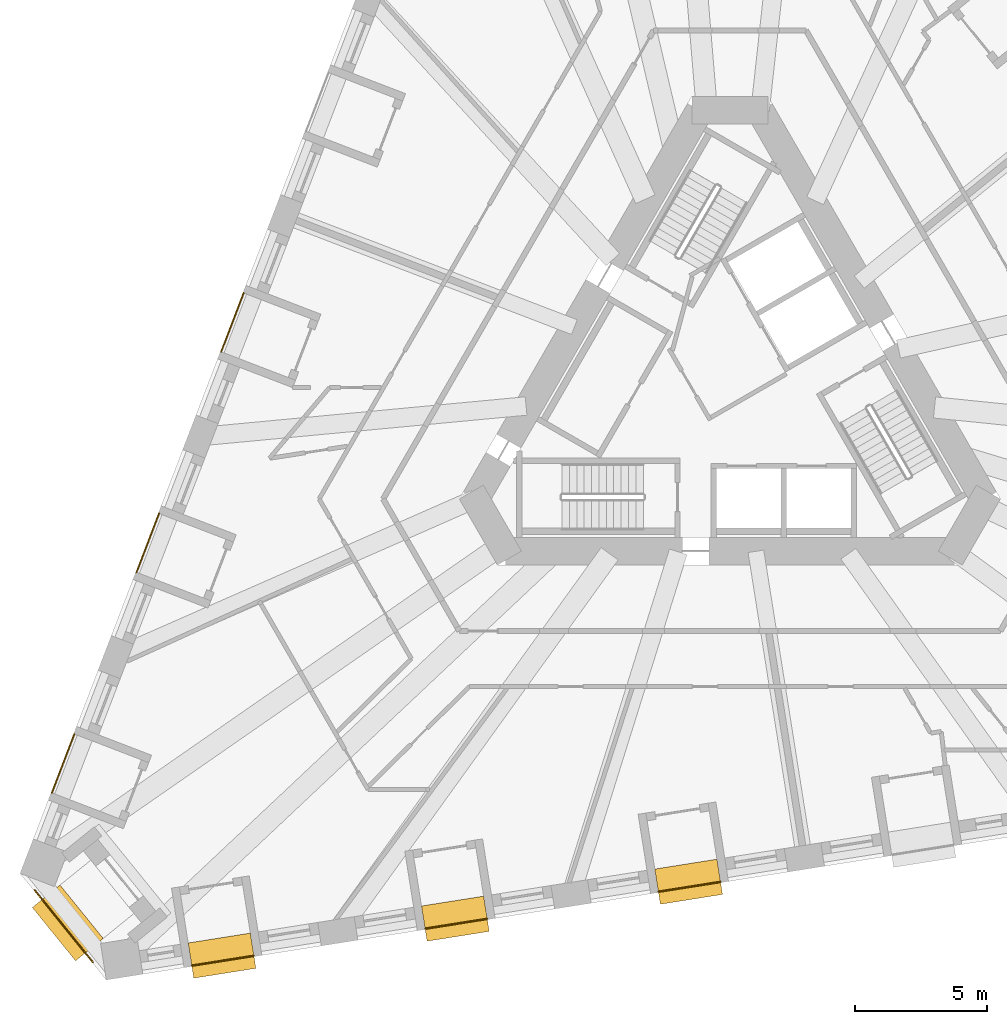
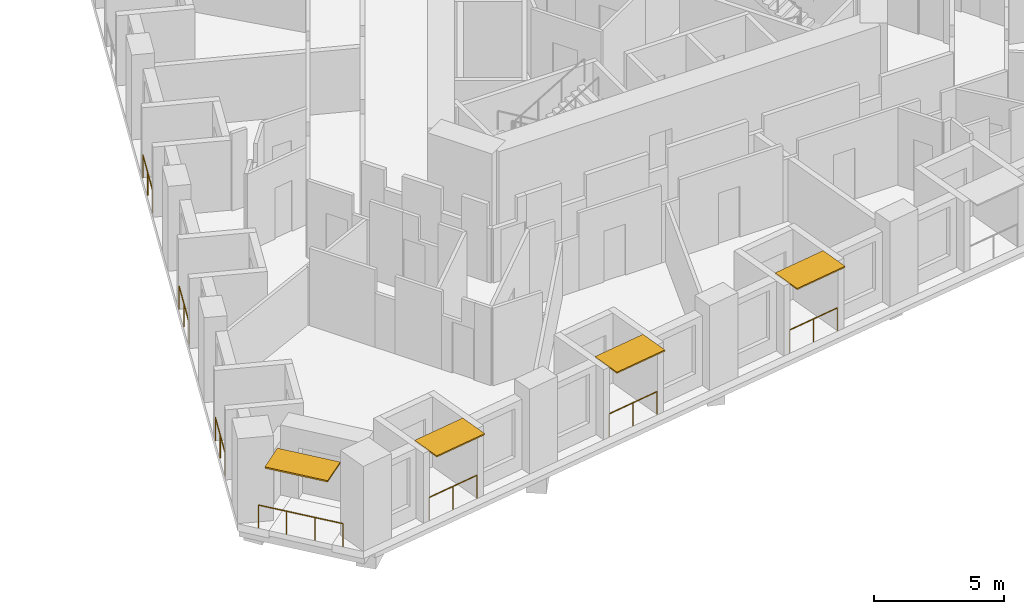
# One storey, part 11 of 14: 7 railings, 4 shading devices.
"""IFC4 building model written with IfcOpenShell, lengths in metres."""

from ifc_helpers import new_model, si_unit, direction, frame, origin, origin_2d, place, context, subcontext, project, spatial, rectangle, circle, extrude, material, layer, layer_set, type_object, element, save


model = new_model("IFC4")

# Units and contexts
model_context = context("Model", 3, precision=1e-05, world=origin(), true_north=direction((0.0, 1.0)))
body_context = subcontext(model_context, "Body", "Model", "MODEL_VIEW")
ifc_project = project(units=[si_unit("LENGTHUNIT", "METRE"), si_unit("AREAUNIT", "SQUARE_METRE"), si_unit("VOLUMEUNIT", "CUBIC_METRE"), si_unit("PLANEANGLEUNIT", "RADIAN"), si_unit("MASSUNIT", "GRAM", prefix="KILO")], contexts=[model_context])

# Site, building, storey
site_placement = place(None, origin())
site = spatial("IfcSite", under=ifc_project, at=site_placement, CompositionType="ELEMENT")
building_placement = place(site_placement, origin())
building = spatial("IfcBuilding", under=site, at=building_placement, Name="Tramontana Tower", CompositionType="ELEMENT")
storey_placement = place(building_placement, frame((0.0, 0.0, 55.199951171875)))
storey = spatial("IfcBuildingStorey", under=building, at=storey_placement, Name="L11", CompositionType="ELEMENT", Elevation=55.199951171875)

# Railings
ifc_material_1 = material(Name="Laminated glass balustrade", Category="glass")
railing_type = type_object("IfcRailingType", Name="GD1 Loggia glass balustrade 1100", PredefinedType="BALUSTRADE", material=ifc_material_1)
for number, where, name in (
    (1, (-18.419677734375, 3.55419921875, 0.0), "Loggia balustrade L11 G1S0.10"),
    (2, (-21.626708984375, -4.80029296875, 0.0), "Loggia balustrade L11 G1S0.13"),
):
    element("IfcRailing", number, at=place(storey_placement, frame(where)), inside=storey, type_object=railing_type, Name=name, PredefinedType="BALUSTRADE", context=body_context, shape_type="SweptSolid", body=[
        extrude(circle(Radius=0.02392578125, at=origin_2d()), frame((0.0, 0.0, 1.076171875), z_axis=(-0.358354292693, -0.933585668757, 0.0), x_axis=(0.933585668757, -0.358354292693, 0.0)), (0.0, 0.0, 1.0), 2.383056640625),
        extrude(circle(Radius=0.02099609375, at=origin_2d()), origin(), (0.0, 0.0, 1.0), 1.052001953125),
        extrude(circle(Radius=0.02099609375, at=origin_2d()), frame((-0.427001953125, -1.1123046875, 0.0)), (0.0, 0.0, 1.0), 1.052001953125),
        extrude(circle(Radius=0.02099609375, at=origin_2d()), frame((-0.85400390625, -2.224853515625, 0.0)), (0.0, 0.0, 1.0), 1.052001953125),
    ])
railing_1_placement = place(storey_placement, frame((-24.833740234375, -13.155029296875, 0.0)))
element("IfcRailing", 3, at=railing_1_placement, inside=storey, type_object=railing_type, Name="Loggia balustrade L11 G1S0.16", PredefinedType="BALUSTRADE", context=body_context, shape_type="SweptSolid", body=[
    extrude(circle(Radius=0.02392578125, at=origin_2d()), frame((0.0, 0.0, 1.076171875), z_axis=(-0.35838856932, -0.933572511046, 0.0), x_axis=(0.933572511046, -0.35838856932, 0.0)), (0.0, 0.0, 1.0), 2.3828125),
    extrude(circle(Radius=0.02099609375, at=origin_2d()), origin(), (0.0, 0.0, 1.0), 1.052001953125),
    extrude(circle(Radius=0.02099609375, at=origin_2d()), frame((-0.427001953125, -1.1123046875, 0.0)), (0.0, 0.0, 1.0), 1.052001953125),
    extrude(circle(Radius=0.02099609375, at=origin_2d()), frame((-0.85400390625, -2.224609375, 0.0)), (0.0, 0.0, 1.0), 1.052001953125),
])
railing_2_placement = place(storey_placement, frame((-20.38427734375, -21.9287109375, 0.0)))
element("IfcRailing", 4, at=railing_2_placement, inside=storey, type_object=railing_type, Name="Loggia balustrade L11 G1S1.1", PredefinedType="BALUSTRADE", context=body_context, shape_type="SweptSolid", body=[
    extrude(circle(Radius=0.02392578125, at=origin_2d()), frame((0.0, 0.0, 1.076171875), z_axis=(0.987685586014, 0.156451855793, 0.0), x_axis=(-0.156451855793, 0.987685586014, 0.0)), (0.0, 0.0, 1.0), 2.3828125),
    extrude(circle(Radius=0.02099609375, at=origin_2d()), origin(), (0.0, 0.0, 1.0), 1.052001953125),
    extrude(circle(Radius=0.02099609375, at=origin_2d()), frame((1.1767578125, 0.1865234375, 0.0)), (0.0, 0.0, 1.0), 1.052001953125),
    extrude(circle(Radius=0.02099609375, at=origin_2d()), frame((2.353515625, 0.372802734375, 0.0)), (0.0, 0.0, 1.0), 1.052001953125),
])
railing_3_placement = place(storey_placement, frame((-11.545654296875, -20.52880859375, 0.0)))
element("IfcRailing", 5, at=railing_3_placement, inside=storey, type_object=railing_type, Name="Loggia balustrade L11 G1S1.4", PredefinedType="BALUSTRADE", context=body_context, shape_type="SweptSolid", body=[
    extrude(circle(Radius=0.02392578125, at=origin_2d()), frame((0.0, 0.0, 1.076171875), z_axis=(0.987688093492, 0.15643602518, 0.0), x_axis=(-0.15643602518, 0.987688093492, 0.0)), (0.0, 0.0, 1.0), 2.383056640625),
    extrude(circle(Radius=0.02099609375, at=origin_2d()), origin(), (0.0, 0.0, 1.0), 1.052001953125),
    extrude(circle(Radius=0.02099609375, at=origin_2d()), frame((1.1767578125, 0.1865234375, 0.0)), (0.0, 0.0, 1.0), 1.052001953125),
    extrude(circle(Radius=0.02099609375, at=origin_2d()), frame((2.353759765625, 0.372802734375, 0.0)), (0.0, 0.0, 1.0), 1.052001953125),
])
railing_4_placement = place(storey_placement, frame((-2.706787109375, -19.12890625, 0.0)))
element("IfcRailing", 6, at=railing_4_placement, inside=storey, type_object=railing_type, Name="Loggia balustrade L11 G1S1.7", PredefinedType="BALUSTRADE", context=body_context, shape_type="SweptSolid", body=[
    extrude(circle(Radius=0.02392578125, at=origin_2d()), frame((0.0, 0.0, 1.076171875), z_axis=(0.987685586014, 0.156451855793, 0.0), x_axis=(-0.156451855793, 0.987685586014, 0.0)), (0.0, 0.0, 1.0), 2.3828125),
    extrude(circle(Radius=0.02099609375, at=origin_2d()), origin(), (0.0, 0.0, 1.0), 1.052001953125),
    extrude(circle(Radius=0.02099609375, at=origin_2d()), frame((1.1767578125, 0.1865234375, 0.0)), (0.0, 0.0, 1.0), 1.052001953125),
    extrude(circle(Radius=0.02099609375, at=origin_2d()), frame((2.353515625, 0.372802734375, 0.0)), (0.0, 0.0, 1.0), 1.052001953125),
])
railing_5_placement = place(storey_placement, frame((-24.132568359375, -21.7939453125, 0.0)))
element("IfcRailing", 7, at=railing_5_placement, inside=storey, type_object=railing_type, Name="Corner loggia balustrade L11 K11", PredefinedType="BALUSTRADE", context=body_context, shape_type="SweptSolid", body=[
    extrude(circle(Radius=0.02392578125, at=origin_2d()), frame((0.0, 0.0, 1.076171875), z_axis=(-0.629328651904, 0.777139271876, 0.0), x_axis=(-0.777139271876, -0.629328651904, 0.0)), (0.0, 0.0, 1.0), 3.5),
    extrude(circle(Radius=0.02099609375, at=origin_2d()), origin(), (0.0, 0.0, 1.0), 1.052001953125),
    extrude(circle(Radius=0.02099609375, at=origin_2d()), frame((-0.734130859375, 0.90673828125, 0.0)), (0.0, 0.0, 1.0), 1.052001953125),
    extrude(circle(Radius=0.02099609375, at=origin_2d()), frame((-1.468505859375, 1.813232421875, 0.0)), (0.0, 0.0, 1.0), 1.052001953125),
    extrude(circle(Radius=0.02099609375, at=origin_2d()), frame((-2.20263671875, 2.719970703125, 0.0)), (0.0, 0.0, 1.0), 1.052001953125),
])

# Shading devices
ifc_material_2 = material(Name="Precast concrete 60 MPa", Category="concrete")
ifc_layer_1 = layer(ifc_material_2, 0.06005859375)
ifc_layer_set_1 = layer_set([ifc_layer_1], Name="SS1 Stone sunshade blade 60")
shading_device_type_1 = type_object("IfcShadingDeviceType", Name="SS1 Stone sunshade blade 60", PredefinedType="USERDEFINED", material=ifc_layer_set_1)
for number, where, z_axis, x_axis, name in (
    (8, (-19.238037109375, -21.5498046875, 3.239990234375), (0.0, 0.0, 1.0), (0.987688340595, 0.15643446504, 0.0), "Sunshade L11 G1S1.1"),
    (9, (-10.399169921875, -20.14990234375, 3.239990234375), (0.0, 0.0, 1.0), (0.987688340595, 0.15643446504, 0.0), "Sunshade L11 G1S1.4"),
    (10, (-1.560546875, -18.75, 3.239990234375), (0.0, 0.0, 1.0), (0.987688340595, 0.15643446504, 0.0), "Sunshade L11 G1S1.7"),
):
    element("IfcShadingDevice", number, at=place(storey_placement, frame(where, z_axis=z_axis, x_axis=x_axis)), inside=storey, type_object=shading_device_type_1, Name=name, ObjectType="SUNSHADE", PredefinedType="USERDEFINED", context=body_context, shape_type="SweptSolid", body=[
        extrude(rectangle(XDim=2.383056640625, YDim=1.35009765625, at=origin_2d()), origin(), (0.0, 0.0, 1.0), 0.06005859375),
    ])
ifc_material_3 = material(Name="Precast concrete 60 MPa", Category="concrete")
ifc_layer_2 = layer(ifc_material_3, 0.070068359375)
ifc_layer_set_2 = layer_set([ifc_layer_2], Name="SS2 Stone sunshade blade 70")
shading_device_type_2 = type_object("IfcShadingDeviceType", Name="SS2 Stone sunshade blade 70", PredefinedType="USERDEFINED", material=ifc_layer_set_2)
shading_device_placement = place(storey_placement, frame((-25.082275390625, -20.311279296875, 3.22998046875), z_axis=(0.0, 0.0, 1.0), x_axis=(-0.62932039105, 0.777145961457, 0.0)))
element("IfcShadingDevice", 11, at=shading_device_placement, inside=storey, type_object=shading_device_type_2, Name="Corner sunshade L11 K11", ObjectType="SUNSHADE", PredefinedType="USERDEFINED", context=body_context, shape_type="SweptSolid", body=[
    extrude(rectangle(XDim=2.60009765625, YDim=1.35009765625, at=origin_2d()), origin(), (0.0, 0.0, 1.0), 0.070068359375),
])

save(model, "model.ifc")
